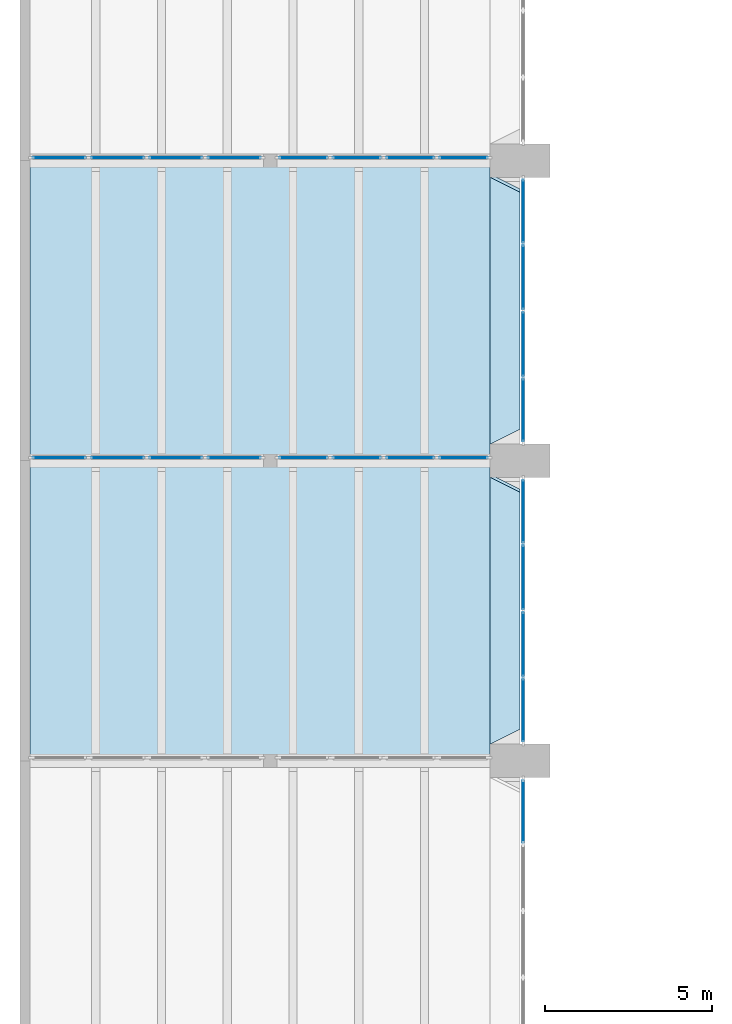
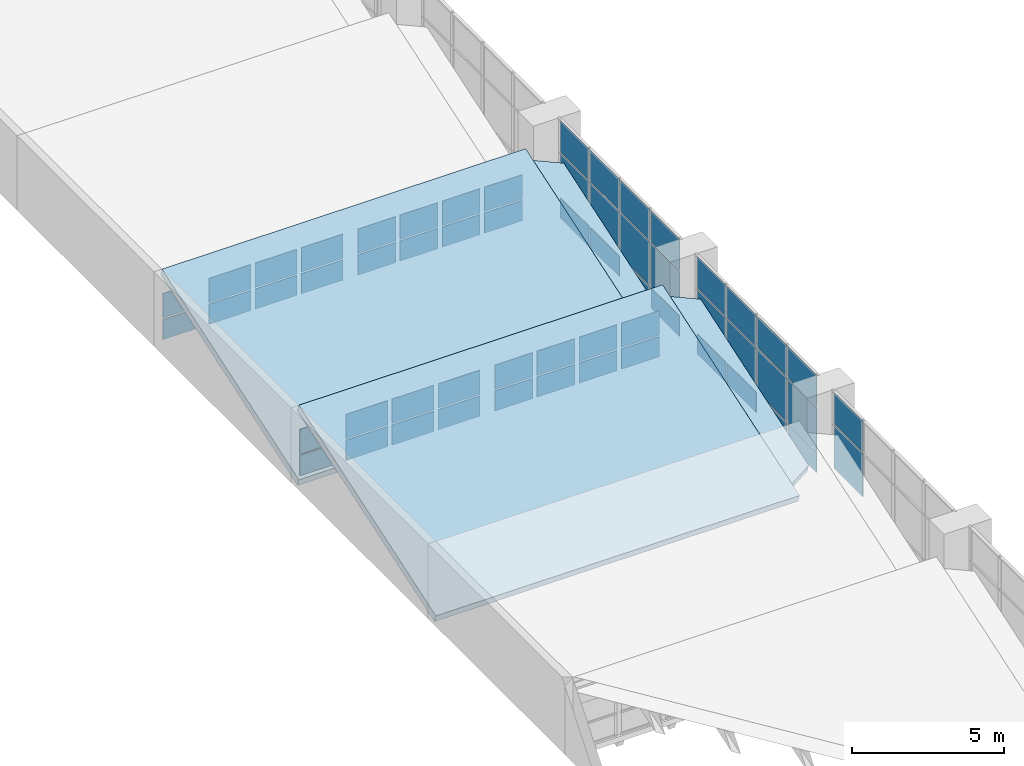
# One storey, part 24 of 43: 58 plates, 4 slabs, 19 elements without a shape of their own.
"""IFC4 building model written with IfcOpenShell, lengths in metres."""

from ifc_helpers import new_model, si_unit, direction, frame, origin, origin_2d, place, context, subcontext, project, spatial, polyline, rectangle, outline, extrude, material, layer, layer_set, type_object, element, aggregate, save


model = new_model("IFC4")

# Units and contexts
model_context = context("Model", 3, precision=1e-05, world=origin(), true_north=direction((0.0, 1.0)))
body_context = subcontext(model_context, "Body", "Model", "MODEL_VIEW")
ifc_project = project(units=[si_unit("LENGTHUNIT", "METRE"), si_unit("AREAUNIT", "SQUARE_METRE"), si_unit("VOLUMEUNIT", "CUBIC_METRE"), si_unit("PLANEANGLEUNIT", "RADIAN"), si_unit("MASSUNIT", "GRAM", prefix="KILO")], contexts=[model_context])

# Site, building, storey
site_placement = place(None, origin())
site = spatial("IfcSite", under=ifc_project, at=site_placement, CompositionType="ELEMENT")
building_placement = place(site_placement, origin())
building = spatial("IfcBuilding", under=site, at=building_placement, Name="Elmora Arch Market Hall", CompositionType="ELEMENT")
storey_placement = place(building_placement, frame((0.0, 0.0, 10.199951171875)))
storey = spatial("IfcBuildingStorey", under=building, at=storey_placement, Name="L02", CompositionType="ELEMENT", Elevation=10.199951171875)

# Curtain wall, plates
ifc_material_1 = material(Name="Aluminium", Category="aluminium")
curtain_wall_type_1 = type_object("IfcCurtainWallType", Name="Hall front curtain wall", PredefinedType="NOTDEFINED", material=ifc_material_1)
curtain_wall_1_placement = place(storey_placement, origin())
curtain_wall_1 = element("IfcCurtainWall", 1, at=curtain_wall_1_placement, inside=storey, type_object=curtain_wall_type_1, Name="Hall west glazing L02 3", PredefinedType="NOTDEFINED")
ifc_material_2 = material(Name="Glass", Category="glass")
ifc_layer_1 = layer(ifc_material_2, 0.028076171875)
ifc_layer_set_1 = layer_set([ifc_layer_1], Name="Glass")
plate_type = type_object("IfcPlateType", Name="Glass panel 28", PredefinedType="CURTAIN_PANEL", material=ifc_layer_set_1)
plate_1_placement = place(storey_placement, frame((15.090087890625, 52.47998046875, 1.0966796875), z_axis=(0.0, 0.0, 1.0), x_axis=(0.0, 1.0, 0.0)))
plate_1 = element("IfcPlate", 2, at=plate_1_placement, type_object=plate_type, Name="CW2 panel 4.2", PredefinedType="CURTAIN_PANEL", context=body_context, shape_type="SweptSolid", body=[
    extrude(rectangle(XDim=1.8798828125, YDim=0.028076171875, at=origin_2d()), origin(), (0.0, 0.0, 1.0), 1.739990234375),
])
plate_2_placement = place(storey_placement, frame((15.090087890625, 52.47998046875, 2.896484375), z_axis=(0.0, 0.0, 1.0), x_axis=(0.0, 1.0, 0.0)))
plate_2 = element("IfcPlate", 3, at=plate_2_placement, type_object=plate_type, Name="CW2 panel 4.3", PredefinedType="CURTAIN_PANEL", context=body_context, shape_type="SweptSolid", body=[
    extrude(rectangle(XDim=1.8798828125, YDim=0.028076171875, at=origin_2d()), origin(), (0.0, 0.0, 1.0), 1.243408203125),
])
aggregate(curtain_wall_1, [plate_1, plate_2])

curtain_wall_2_placement = place(storey_placement, origin())
curtain_wall_2 = element("IfcCurtainWall", 4, at=curtain_wall_2_placement, inside=storey, type_object=curtain_wall_type_1, Name="Hall west glazing L02 4", PredefinedType="NOTDEFINED")
plate_3_placement = place(storey_placement, frame((15.090087890625, 55.52001953125, 0.226806640625), z_axis=(0.0, 0.0, 1.0), x_axis=(0.0, 1.0, 0.0)))
plate_3 = element("IfcPlate", 5, at=plate_3_placement, type_object=plate_type, Name="CW2 panel 1.1", PredefinedType="CURTAIN_PANEL", context=body_context, shape_type="SweptSolid", body=[
    extrude(rectangle(XDim=1.8798828125, YDim=0.028076171875, at=origin_2d()), origin(), (0.0, 0.0, 1.0), 0.81005859375),
])
plate_4_placement = place(storey_placement, frame((15.090087890625, 55.52001953125, 1.0966796875), z_axis=(0.0, 0.0, 1.0), x_axis=(0.0, 1.0, 0.0)))
plate_4 = element("IfcPlate", 6, at=plate_4_placement, type_object=plate_type, Name="CW2 panel 1.2", PredefinedType="CURTAIN_PANEL", context=body_context, shape_type="SweptSolid", body=[
    extrude(rectangle(XDim=1.8798828125, YDim=0.028076171875, at=origin_2d()), origin(), (0.0, 0.0, 1.0), 1.739990234375),
])
plate_5_placement = place(storey_placement, frame((15.090087890625, 55.52001953125, 2.896484375), z_axis=(0.0, 0.0, 1.0), x_axis=(0.0, 1.0, 0.0)))
plate_5 = element("IfcPlate", 7, at=plate_5_placement, type_object=plate_type, Name="CW2 panel 1.3", PredefinedType="CURTAIN_PANEL", context=body_context, shape_type="SweptSolid", body=[
    extrude(rectangle(XDim=1.8798828125, YDim=0.028076171875, at=origin_2d()), origin(), (0.0, 0.0, 1.0), 1.243408203125),
])
plate_6_placement = place(storey_placement, frame((15.090087890625, 57.5, 0.226806640625), z_axis=(0.0, 0.0, 1.0), x_axis=(0.0, 1.0, 0.0)))
plate_6 = element("IfcPlate", 8, at=plate_6_placement, type_object=plate_type, Name="CW2 panel 2.1", PredefinedType="CURTAIN_PANEL", context=body_context, shape_type="SweptSolid", body=[
    extrude(rectangle(XDim=1.919921875, YDim=0.028076171875, at=origin_2d()), origin(), (0.0, 0.0, 1.0), 0.81005859375),
])
plate_7_placement = place(storey_placement, frame((15.090087890625, 57.5, 1.0966796875), z_axis=(0.0, 0.0, 1.0), x_axis=(0.0, 1.0, 0.0)))
plate_7 = element("IfcPlate", 9, at=plate_7_placement, type_object=plate_type, Name="CW2 panel 2.2", PredefinedType="CURTAIN_PANEL", context=body_context, shape_type="SweptSolid", body=[
    extrude(rectangle(XDim=1.919921875, YDim=0.028076171875, at=origin_2d()), origin(), (0.0, 0.0, 1.0), 1.739990234375),
])
plate_8_placement = place(storey_placement, frame((15.090087890625, 57.5, 2.896484375), z_axis=(0.0, 0.0, 1.0), x_axis=(0.0, 1.0, 0.0)))
plate_8 = element("IfcPlate", 10, at=plate_8_placement, type_object=plate_type, Name="CW2 panel 2.3", PredefinedType="CURTAIN_PANEL", context=body_context, shape_type="SweptSolid", body=[
    extrude(rectangle(XDim=1.919921875, YDim=0.028076171875, at=origin_2d()), origin(), (0.0, 0.0, 1.0), 1.243408203125),
])
plate_9_placement = place(storey_placement, frame((15.090087890625, 59.5, 0.226806640625), z_axis=(0.0, 0.0, 1.0), x_axis=(0.0, 1.0, 0.0)))
plate_9 = element("IfcPlate", 11, at=plate_9_placement, type_object=plate_type, Name="CW2 panel 3.1", PredefinedType="CURTAIN_PANEL", context=body_context, shape_type="SweptSolid", body=[
    extrude(rectangle(XDim=1.919921875, YDim=0.028076171875, at=origin_2d()), origin(), (0.0, 0.0, 1.0), 0.81005859375),
])
plate_10_placement = place(storey_placement, frame((15.090087890625, 59.5, 1.0966796875), z_axis=(0.0, 0.0, 1.0), x_axis=(0.0, 1.0, 0.0)))
plate_10 = element("IfcPlate", 12, at=plate_10_placement, type_object=plate_type, Name="CW2 panel 3.2", PredefinedType="CURTAIN_PANEL", context=body_context, shape_type="SweptSolid", body=[
    extrude(rectangle(XDim=1.919921875, YDim=0.028076171875, at=origin_2d()), origin(), (0.0, 0.0, 1.0), 1.739990234375),
])
plate_11_placement = place(storey_placement, frame((15.090087890625, 59.5, 2.896484375), z_axis=(0.0, 0.0, 1.0), x_axis=(0.0, 1.0, 0.0)))
plate_11 = element("IfcPlate", 13, at=plate_11_placement, type_object=plate_type, Name="CW2 panel 3.3", PredefinedType="CURTAIN_PANEL", context=body_context, shape_type="SweptSolid", body=[
    extrude(rectangle(XDim=1.919921875, YDim=0.028076171875, at=origin_2d()), origin(), (0.0, 0.0, 1.0), 1.243408203125),
])
plate_12_placement = place(storey_placement, frame((15.090087890625, 61.47998046875, 0.226806640625), z_axis=(0.0, 0.0, 1.0), x_axis=(0.0, 1.0, 0.0)))
plate_12 = element("IfcPlate", 14, at=plate_12_placement, type_object=plate_type, Name="CW2 panel 4.1", PredefinedType="CURTAIN_PANEL", context=body_context, shape_type="SweptSolid", body=[
    extrude(rectangle(XDim=1.8798828125, YDim=0.028076171875, at=origin_2d()), origin(), (0.0, 0.0, 1.0), 0.81005859375),
])
plate_13_placement = place(storey_placement, frame((15.090087890625, 61.47998046875, 1.0966796875), z_axis=(0.0, 0.0, 1.0), x_axis=(0.0, 1.0, 0.0)))
plate_13 = element("IfcPlate", 15, at=plate_13_placement, type_object=plate_type, Name="CW2 panel 4.2", PredefinedType="CURTAIN_PANEL", context=body_context, shape_type="SweptSolid", body=[
    extrude(rectangle(XDim=1.8798828125, YDim=0.028076171875, at=origin_2d()), origin(), (0.0, 0.0, 1.0), 1.739990234375),
])
plate_14_placement = place(storey_placement, frame((15.090087890625, 61.47998046875, 2.896484375), z_axis=(0.0, 0.0, 1.0), x_axis=(0.0, 1.0, 0.0)))
plate_14 = element("IfcPlate", 16, at=plate_14_placement, type_object=plate_type, Name="CW2 panel 4.3", PredefinedType="CURTAIN_PANEL", context=body_context, shape_type="SweptSolid", body=[
    extrude(rectangle(XDim=1.8798828125, YDim=0.028076171875, at=origin_2d()), origin(), (0.0, 0.0, 1.0), 1.243408203125),
])
aggregate(curtain_wall_2, [plate_3, plate_4, plate_5, plate_6, plate_7, plate_8, plate_9, plate_10, plate_11, plate_12, plate_13, plate_14])

curtain_wall_3_placement = place(storey_placement, origin())
curtain_wall_3 = element("IfcCurtainWall", 17, at=curtain_wall_3_placement, inside=storey, type_object=curtain_wall_type_1, Name="Hall west glazing L02 5", PredefinedType="NOTDEFINED")
plate_15_placement = place(storey_placement, frame((15.090087890625, 64.52001953125, 0.226806640625), z_axis=(0.0, 0.0, 1.0), x_axis=(0.0, 1.0, 0.0)))
plate_15 = element("IfcPlate", 18, at=plate_15_placement, type_object=plate_type, Name="CW2 panel 1.1", PredefinedType="CURTAIN_PANEL", context=body_context, shape_type="SweptSolid", body=[
    extrude(rectangle(XDim=1.8798828125, YDim=0.028076171875, at=origin_2d()), origin(), (0.0, 0.0, 1.0), 0.81005859375),
])
plate_16_placement = place(storey_placement, frame((15.090087890625, 64.52001953125, 1.0966796875), z_axis=(0.0, 0.0, 1.0), x_axis=(0.0, 1.0, 0.0)))
plate_16 = element("IfcPlate", 19, at=plate_16_placement, type_object=plate_type, Name="CW2 panel 1.2", PredefinedType="CURTAIN_PANEL", context=body_context, shape_type="SweptSolid", body=[
    extrude(rectangle(XDim=1.8798828125, YDim=0.028076171875, at=origin_2d()), origin(), (0.0, 0.0, 1.0), 1.739990234375),
])
plate_17_placement = place(storey_placement, frame((15.090087890625, 64.52001953125, 2.896484375), z_axis=(0.0, 0.0, 1.0), x_axis=(0.0, 1.0, 0.0)))
plate_17 = element("IfcPlate", 20, at=plate_17_placement, type_object=plate_type, Name="CW2 panel 1.3", PredefinedType="CURTAIN_PANEL", context=body_context, shape_type="SweptSolid", body=[
    extrude(rectangle(XDim=1.8798828125, YDim=0.028076171875, at=origin_2d()), origin(), (0.0, 0.0, 1.0), 1.243408203125),
])
plate_18_placement = place(storey_placement, frame((15.090087890625, 66.5, 0.226806640625), z_axis=(0.0, 0.0, 1.0), x_axis=(0.0, 1.0, 0.0)))
plate_18 = element("IfcPlate", 21, at=plate_18_placement, type_object=plate_type, Name="CW2 panel 2.1", PredefinedType="CURTAIN_PANEL", context=body_context, shape_type="SweptSolid", body=[
    extrude(rectangle(XDim=1.919921875, YDim=0.028076171875, at=origin_2d()), origin(), (0.0, 0.0, 1.0), 0.81005859375),
])
plate_19_placement = place(storey_placement, frame((15.090087890625, 66.5, 1.0966796875), z_axis=(0.0, 0.0, 1.0), x_axis=(0.0, 1.0, 0.0)))
plate_19 = element("IfcPlate", 22, at=plate_19_placement, type_object=plate_type, Name="CW2 panel 2.2", PredefinedType="CURTAIN_PANEL", context=body_context, shape_type="SweptSolid", body=[
    extrude(rectangle(XDim=1.919921875, YDim=0.028076171875, at=origin_2d()), origin(), (0.0, 0.0, 1.0), 1.739990234375),
])
plate_20_placement = place(storey_placement, frame((15.090087890625, 66.5, 2.896484375), z_axis=(0.0, 0.0, 1.0), x_axis=(0.0, 1.0, 0.0)))
plate_20 = element("IfcPlate", 23, at=plate_20_placement, type_object=plate_type, Name="CW2 panel 2.3", PredefinedType="CURTAIN_PANEL", context=body_context, shape_type="SweptSolid", body=[
    extrude(rectangle(XDim=1.919921875, YDim=0.028076171875, at=origin_2d()), origin(), (0.0, 0.0, 1.0), 1.243408203125),
])
plate_21_placement = place(storey_placement, frame((15.090087890625, 68.5, 0.226806640625), z_axis=(0.0, 0.0, 1.0), x_axis=(0.0, 1.0, 0.0)))
plate_21 = element("IfcPlate", 24, at=plate_21_placement, type_object=plate_type, Name="CW2 panel 3.1", PredefinedType="CURTAIN_PANEL", context=body_context, shape_type="SweptSolid", body=[
    extrude(rectangle(XDim=1.919921875, YDim=0.028076171875, at=origin_2d()), origin(), (0.0, 0.0, 1.0), 0.81005859375),
])
plate_22_placement = place(storey_placement, frame((15.090087890625, 68.5, 1.0966796875), z_axis=(0.0, 0.0, 1.0), x_axis=(0.0, 1.0, 0.0)))
plate_22 = element("IfcPlate", 25, at=plate_22_placement, type_object=plate_type, Name="CW2 panel 3.2", PredefinedType="CURTAIN_PANEL", context=body_context, shape_type="SweptSolid", body=[
    extrude(rectangle(XDim=1.919921875, YDim=0.028076171875, at=origin_2d()), origin(), (0.0, 0.0, 1.0), 1.739990234375),
])
plate_23_placement = place(storey_placement, frame((15.090087890625, 68.5, 2.896484375), z_axis=(0.0, 0.0, 1.0), x_axis=(0.0, 1.0, 0.0)))
plate_23 = element("IfcPlate", 26, at=plate_23_placement, type_object=plate_type, Name="CW2 panel 3.3", PredefinedType="CURTAIN_PANEL", context=body_context, shape_type="SweptSolid", body=[
    extrude(rectangle(XDim=1.919921875, YDim=0.028076171875, at=origin_2d()), origin(), (0.0, 0.0, 1.0), 1.243408203125),
])
plate_24_placement = place(storey_placement, frame((15.090087890625, 70.47998046875, 0.226806640625), z_axis=(0.0, 0.0, 1.0), x_axis=(0.0, 1.0, 0.0)))
plate_24 = element("IfcPlate", 27, at=plate_24_placement, type_object=plate_type, Name="CW2 panel 4.1", PredefinedType="CURTAIN_PANEL", context=body_context, shape_type="SweptSolid", body=[
    extrude(rectangle(XDim=1.8798828125, YDim=0.028076171875, at=origin_2d()), origin(), (0.0, 0.0, 1.0), 0.81005859375),
])
plate_25_placement = place(storey_placement, frame((15.090087890625, 70.47998046875, 1.0966796875), z_axis=(0.0, 0.0, 1.0), x_axis=(0.0, 1.0, 0.0)))
plate_25 = element("IfcPlate", 28, at=plate_25_placement, type_object=plate_type, Name="CW2 panel 4.2", PredefinedType="CURTAIN_PANEL", context=body_context, shape_type="SweptSolid", body=[
    extrude(rectangle(XDim=1.8798828125, YDim=0.028076171875, at=origin_2d()), origin(), (0.0, 0.0, 1.0), 1.739990234375),
])
plate_26_placement = place(storey_placement, frame((15.090087890625, 70.47998046875, 2.896484375), z_axis=(0.0, 0.0, 1.0), x_axis=(0.0, 1.0, 0.0)))
plate_26 = element("IfcPlate", 29, at=plate_26_placement, type_object=plate_type, Name="CW2 panel 4.3", PredefinedType="CURTAIN_PANEL", context=body_context, shape_type="SweptSolid", body=[
    extrude(rectangle(XDim=1.8798828125, YDim=0.028076171875, at=origin_2d()), origin(), (0.0, 0.0, 1.0), 1.243408203125),
])
aggregate(curtain_wall_3, [plate_15, plate_16, plate_17, plate_18, plate_19, plate_20, plate_21, plate_22, plate_23, plate_24, plate_25, plate_26])

ifc_material_3 = material(Name="Aluminium", Category="aluminium")
curtain_wall_type_2 = type_object("IfcCurtainWallType", Name="Sawtooth glazing curtain wall", PredefinedType="NOTDEFINED", material=ifc_material_3)
curtain_wall_4_placement = place(storey_placement, origin())
curtain_wall_4 = element("IfcCurtainWall", 30, at=curtain_wall_4_placement, inside=storey, type_object=curtain_wall_type_2, Name="Sawtooth riser 4 part 1.1", PredefinedType="NOTDEFINED")
plate_27_placement = place(storey_placement, frame((1.175048828125, 63.090087890625, 0.090087890625), z_axis=(0.0, 0.0, 1.0), x_axis=(1.0, 0.0, 0.0)))
plate_27 = element("IfcPlate", 31, at=plate_27_placement, type_object=plate_type, Name="CW7 panel 1.1", PredefinedType="CURTAIN_PANEL", context=body_context, shape_type="SweptSolid", body=[
    extrude(rectangle(XDim=1.590087890625, YDim=0.028076171875, at=origin_2d()), origin(), (0.0, 0.0, 1.0), 0.81005859375),
])
plate_28_placement = place(storey_placement, frame((1.175048828125, 63.090087890625, 0.9599609375), z_axis=(0.0, 0.0, 1.0), x_axis=(1.0, 0.0, 0.0)))
plate_28 = element("IfcPlate", 32, at=plate_28_placement, type_object=plate_type, Name="CW7 panel 1.2", PredefinedType="CURTAIN_PANEL", context=body_context, shape_type="SweptSolid", body=[
    extrude(rectangle(XDim=1.590087890625, YDim=0.028076171875, at=origin_2d()), origin(), (0.0, 0.0, 1.0), 0.97998046875),
])
aggregate(curtain_wall_4, [plate_27, plate_28])

curtain_wall_5_placement = place(storey_placement, origin())
curtain_wall_5 = element("IfcCurtainWall", 33, at=curtain_wall_5_placement, inside=storey, type_object=curtain_wall_type_2, Name="Sawtooth riser 4 part 1.2", PredefinedType="NOTDEFINED")
plate_29_placement = place(storey_placement, frame((2.925048828125, 63.090087890625, 0.090087890625), z_axis=(0.0, 0.0, 1.0), x_axis=(1.0, 0.0, 0.0)))
plate_29 = element("IfcPlate", 34, at=plate_29_placement, type_object=plate_type, Name="CW7 panel 1.1", PredefinedType="CURTAIN_PANEL", context=body_context, shape_type="SweptSolid", body=[
    extrude(rectangle(XDim=1.590087890625, YDim=0.028076171875, at=origin_2d()), origin(), (0.0, 0.0, 1.0), 0.81005859375),
])
plate_30_placement = place(storey_placement, frame((2.925048828125, 63.090087890625, 0.9599609375), z_axis=(0.0, 0.0, 1.0), x_axis=(1.0, 0.0, 0.0)))
plate_30 = element("IfcPlate", 35, at=plate_30_placement, type_object=plate_type, Name="CW7 panel 1.2", PredefinedType="CURTAIN_PANEL", context=body_context, shape_type="SweptSolid", body=[
    extrude(rectangle(XDim=1.590087890625, YDim=0.028076171875, at=origin_2d()), origin(), (0.0, 0.0, 1.0), 0.97998046875),
])
aggregate(curtain_wall_5, [plate_29, plate_30])

curtain_wall_6_placement = place(storey_placement, origin())
curtain_wall_6 = element("IfcCurtainWall", 36, at=curtain_wall_6_placement, inside=storey, type_object=curtain_wall_type_2, Name="Sawtooth riser 4 part 1.3", PredefinedType="NOTDEFINED")
plate_31_placement = place(storey_placement, frame((4.675048828125, 63.090087890625, 0.090087890625), z_axis=(0.0, 0.0, 1.0), x_axis=(1.0, 0.0, 0.0)))
plate_31 = element("IfcPlate", 37, at=plate_31_placement, type_object=plate_type, Name="CW7 panel 1.1", PredefinedType="CURTAIN_PANEL", context=body_context, shape_type="SweptSolid", body=[
    extrude(rectangle(XDim=1.590087890625, YDim=0.028076171875, at=origin_2d()), origin(), (0.0, 0.0, 1.0), 0.81005859375),
])
plate_32_placement = place(storey_placement, frame((4.675048828125, 63.090087890625, 0.9599609375), z_axis=(0.0, 0.0, 1.0), x_axis=(1.0, 0.0, 0.0)))
plate_32 = element("IfcPlate", 38, at=plate_32_placement, type_object=plate_type, Name="CW7 panel 1.2", PredefinedType="CURTAIN_PANEL", context=body_context, shape_type="SweptSolid", body=[
    extrude(rectangle(XDim=1.590087890625, YDim=0.028076171875, at=origin_2d()), origin(), (0.0, 0.0, 1.0), 0.97998046875),
])
aggregate(curtain_wall_6, [plate_31, plate_32])

curtain_wall_7_placement = place(storey_placement, origin())
curtain_wall_7 = element("IfcCurtainWall", 39, at=curtain_wall_7_placement, inside=storey, type_object=curtain_wall_type_2, Name="Sawtooth riser 4 part 1.4", PredefinedType="NOTDEFINED")
plate_33_placement = place(storey_placement, frame((6.425048828125, 63.090087890625, 0.090087890625), z_axis=(0.0, 0.0, 1.0), x_axis=(1.0, 0.0, 0.0)))
plate_33 = element("IfcPlate", 40, at=plate_33_placement, type_object=plate_type, Name="CW7 panel 1.1", PredefinedType="CURTAIN_PANEL", context=body_context, shape_type="SweptSolid", body=[
    extrude(rectangle(XDim=1.590087890625, YDim=0.028076171875, at=origin_2d()), origin(), (0.0, 0.0, 1.0), 0.81005859375),
])
plate_34_placement = place(storey_placement, frame((6.425048828125, 63.090087890625, 0.9599609375), z_axis=(0.0, 0.0, 1.0), x_axis=(1.0, 0.0, 0.0)))
plate_34 = element("IfcPlate", 41, at=plate_34_placement, type_object=plate_type, Name="CW7 panel 1.2", PredefinedType="CURTAIN_PANEL", context=body_context, shape_type="SweptSolid", body=[
    extrude(rectangle(XDim=1.590087890625, YDim=0.028076171875, at=origin_2d()), origin(), (0.0, 0.0, 1.0), 0.97998046875),
])
aggregate(curtain_wall_7, [plate_33, plate_34])

curtain_wall_8_placement = place(storey_placement, origin())
curtain_wall_8 = element("IfcCurtainWall", 42, at=curtain_wall_8_placement, inside=storey, type_object=curtain_wall_type_2, Name="Sawtooth riser 4 part 2.1", PredefinedType="NOTDEFINED")
plate_35_placement = place(storey_placement, frame((8.5, 63.090087890625, 0.090087890625), z_axis=(0.0, 0.0, 1.0), x_axis=(1.0, 0.0, 0.0)))
plate_35 = element("IfcPlate", 43, at=plate_35_placement, type_object=plate_type, Name="CW7 panel 1.1", PredefinedType="CURTAIN_PANEL", context=body_context, shape_type="SweptSolid", body=[
    extrude(rectangle(XDim=1.43994140625, YDim=0.028076171875, at=origin_2d()), origin(), (0.0, 0.0, 1.0), 0.81005859375),
])
plate_36_placement = place(storey_placement, frame((8.5, 63.090087890625, 0.9599609375), z_axis=(0.0, 0.0, 1.0), x_axis=(1.0, 0.0, 0.0)))
plate_36 = element("IfcPlate", 44, at=plate_36_placement, type_object=plate_type, Name="CW7 panel 1.2", PredefinedType="CURTAIN_PANEL", context=body_context, shape_type="SweptSolid", body=[
    extrude(rectangle(XDim=1.43994140625, YDim=0.028076171875, at=origin_2d()), origin(), (0.0, 0.0, 1.0), 0.97998046875),
])
aggregate(curtain_wall_8, [plate_35, plate_36])

curtain_wall_9_placement = place(storey_placement, origin())
curtain_wall_9 = element("IfcCurtainWall", 45, at=curtain_wall_9_placement, inside=storey, type_object=curtain_wall_type_2, Name="Sawtooth riser 4 part 2.2", PredefinedType="NOTDEFINED")
plate_37_placement = place(storey_placement, frame((10.10009765625, 63.090087890625, 0.090087890625), z_axis=(0.0, 0.0, 1.0), x_axis=(1.0, 0.0, 0.0)))
plate_37 = element("IfcPlate", 46, at=plate_37_placement, type_object=plate_type, Name="CW7 panel 1.1", PredefinedType="CURTAIN_PANEL", context=body_context, shape_type="SweptSolid", body=[
    extrude(rectangle(XDim=1.43994140625, YDim=0.028076171875, at=origin_2d()), origin(), (0.0, 0.0, 1.0), 0.81005859375),
])
plate_38_placement = place(storey_placement, frame((10.10009765625, 63.090087890625, 0.9599609375), z_axis=(0.0, 0.0, 1.0), x_axis=(1.0, 0.0, 0.0)))
plate_38 = element("IfcPlate", 47, at=plate_38_placement, type_object=plate_type, Name="CW7 panel 1.2", PredefinedType="CURTAIN_PANEL", context=body_context, shape_type="SweptSolid", body=[
    extrude(rectangle(XDim=1.43994140625, YDim=0.028076171875, at=origin_2d()), origin(), (0.0, 0.0, 1.0), 0.97998046875),
])
aggregate(curtain_wall_9, [plate_37, plate_38])

curtain_wall_10_placement = place(storey_placement, origin())
curtain_wall_10 = element("IfcCurtainWall", 48, at=curtain_wall_10_placement, inside=storey, type_object=curtain_wall_type_2, Name="Sawtooth riser 4 part 2.3", PredefinedType="NOTDEFINED")
plate_39_placement = place(storey_placement, frame((11.699951171875, 63.090087890625, 0.090087890625), z_axis=(0.0, 0.0, 1.0), x_axis=(1.0, 0.0, 0.0)))
plate_39 = element("IfcPlate", 49, at=plate_39_placement, type_object=plate_type, Name="CW7 panel 1.1", PredefinedType="CURTAIN_PANEL", context=body_context, shape_type="SweptSolid", body=[
    extrude(rectangle(XDim=1.43994140625, YDim=0.028076171875, at=origin_2d()), origin(), (0.0, 0.0, 1.0), 0.81005859375),
])
plate_40_placement = place(storey_placement, frame((11.699951171875, 63.090087890625, 0.9599609375), z_axis=(0.0, 0.0, 1.0), x_axis=(1.0, 0.0, 0.0)))
plate_40 = element("IfcPlate", 50, at=plate_40_placement, type_object=plate_type, Name="CW7 panel 1.2", PredefinedType="CURTAIN_PANEL", context=body_context, shape_type="SweptSolid", body=[
    extrude(rectangle(XDim=1.43994140625, YDim=0.028076171875, at=origin_2d()), origin(), (0.0, 0.0, 1.0), 0.97998046875),
])
aggregate(curtain_wall_10, [plate_39, plate_40])

curtain_wall_11_placement = place(storey_placement, origin())
curtain_wall_11 = element("IfcCurtainWall", 51, at=curtain_wall_11_placement, inside=storey, type_object=curtain_wall_type_2, Name="Sawtooth riser 4 part 2.4", PredefinedType="NOTDEFINED")
plate_41_placement = place(storey_placement, frame((13.300048828125, 63.090087890625, 0.090087890625), z_axis=(0.0, 0.0, 1.0), x_axis=(1.0, 0.0, 0.0)))
plate_41 = element("IfcPlate", 52, at=plate_41_placement, type_object=plate_type, Name="CW7 panel 1.1", PredefinedType="CURTAIN_PANEL", context=body_context, shape_type="SweptSolid", body=[
    extrude(rectangle(XDim=1.43994140625, YDim=0.028076171875, at=origin_2d()), origin(), (0.0, 0.0, 1.0), 0.81005859375),
])
plate_42_placement = place(storey_placement, frame((13.300048828125, 63.090087890625, 0.9599609375), z_axis=(0.0, 0.0, 1.0), x_axis=(1.0, 0.0, 0.0)))
plate_42 = element("IfcPlate", 53, at=plate_42_placement, type_object=plate_type, Name="CW7 panel 1.2", PredefinedType="CURTAIN_PANEL", context=body_context, shape_type="SweptSolid", body=[
    extrude(rectangle(XDim=1.43994140625, YDim=0.028076171875, at=origin_2d()), origin(), (0.0, 0.0, 1.0), 0.97998046875),
])
aggregate(curtain_wall_11, [plate_41, plate_42])

curtain_wall_12_placement = place(storey_placement, origin())
curtain_wall_12 = element("IfcCurtainWall", 54, at=curtain_wall_12_placement, inside=storey, type_object=curtain_wall_type_2, Name="Sawtooth riser 5 part 1.1", PredefinedType="NOTDEFINED")
plate_43_placement = place(storey_placement, frame((1.175048828125, 72.090087890625, 0.090087890625), z_axis=(0.0, 0.0, 1.0), x_axis=(1.0, 0.0, 0.0)))
plate_43 = element("IfcPlate", 55, at=plate_43_placement, type_object=plate_type, Name="CW7 panel 1.1", PredefinedType="CURTAIN_PANEL", context=body_context, shape_type="SweptSolid", body=[
    extrude(rectangle(XDim=1.590087890625, YDim=0.028076171875, at=origin_2d()), origin(), (0.0, 0.0, 1.0), 0.81005859375),
])
plate_44_placement = place(storey_placement, frame((1.175048828125, 72.090087890625, 0.9599609375), z_axis=(0.0, 0.0, 1.0), x_axis=(1.0, 0.0, 0.0)))
plate_44 = element("IfcPlate", 56, at=plate_44_placement, type_object=plate_type, Name="CW7 panel 1.2", PredefinedType="CURTAIN_PANEL", context=body_context, shape_type="SweptSolid", body=[
    extrude(rectangle(XDim=1.590087890625, YDim=0.028076171875, at=origin_2d()), origin(), (0.0, 0.0, 1.0), 0.97998046875),
])
aggregate(curtain_wall_12, [plate_43, plate_44])

curtain_wall_13_placement = place(storey_placement, origin())
curtain_wall_13 = element("IfcCurtainWall", 57, at=curtain_wall_13_placement, inside=storey, type_object=curtain_wall_type_2, Name="Sawtooth riser 5 part 1.2", PredefinedType="NOTDEFINED")
plate_45_placement = place(storey_placement, frame((2.925048828125, 72.090087890625, 0.090087890625), z_axis=(0.0, 0.0, 1.0), x_axis=(1.0, 0.0, 0.0)))
plate_45 = element("IfcPlate", 58, at=plate_45_placement, type_object=plate_type, Name="CW7 panel 1.1", PredefinedType="CURTAIN_PANEL", context=body_context, shape_type="SweptSolid", body=[
    extrude(rectangle(XDim=1.590087890625, YDim=0.028076171875, at=origin_2d()), origin(), (0.0, 0.0, 1.0), 0.81005859375),
])
plate_46_placement = place(storey_placement, frame((2.925048828125, 72.090087890625, 0.9599609375), z_axis=(0.0, 0.0, 1.0), x_axis=(1.0, 0.0, 0.0)))
plate_46 = element("IfcPlate", 59, at=plate_46_placement, type_object=plate_type, Name="CW7 panel 1.2", PredefinedType="CURTAIN_PANEL", context=body_context, shape_type="SweptSolid", body=[
    extrude(rectangle(XDim=1.590087890625, YDim=0.028076171875, at=origin_2d()), origin(), (0.0, 0.0, 1.0), 0.97998046875),
])
aggregate(curtain_wall_13, [plate_45, plate_46])

curtain_wall_14_placement = place(storey_placement, origin())
curtain_wall_14 = element("IfcCurtainWall", 60, at=curtain_wall_14_placement, inside=storey, type_object=curtain_wall_type_2, Name="Sawtooth riser 5 part 1.3", PredefinedType="NOTDEFINED")
plate_47_placement = place(storey_placement, frame((4.675048828125, 72.090087890625, 0.090087890625), z_axis=(0.0, 0.0, 1.0), x_axis=(1.0, 0.0, 0.0)))
plate_47 = element("IfcPlate", 61, at=plate_47_placement, type_object=plate_type, Name="CW7 panel 1.1", PredefinedType="CURTAIN_PANEL", context=body_context, shape_type="SweptSolid", body=[
    extrude(rectangle(XDim=1.590087890625, YDim=0.028076171875, at=origin_2d()), origin(), (0.0, 0.0, 1.0), 0.81005859375),
])
plate_48_placement = place(storey_placement, frame((4.675048828125, 72.090087890625, 0.9599609375), z_axis=(0.0, 0.0, 1.0), x_axis=(1.0, 0.0, 0.0)))
plate_48 = element("IfcPlate", 62, at=plate_48_placement, type_object=plate_type, Name="CW7 panel 1.2", PredefinedType="CURTAIN_PANEL", context=body_context, shape_type="SweptSolid", body=[
    extrude(rectangle(XDim=1.590087890625, YDim=0.028076171875, at=origin_2d()), origin(), (0.0, 0.0, 1.0), 0.97998046875),
])
aggregate(curtain_wall_14, [plate_47, plate_48])

curtain_wall_15_placement = place(storey_placement, origin())
curtain_wall_15 = element("IfcCurtainWall", 63, at=curtain_wall_15_placement, inside=storey, type_object=curtain_wall_type_2, Name="Sawtooth riser 5 part 1.4", PredefinedType="NOTDEFINED")
plate_49_placement = place(storey_placement, frame((6.425048828125, 72.090087890625, 0.090087890625), z_axis=(0.0, 0.0, 1.0), x_axis=(1.0, 0.0, 0.0)))
plate_49 = element("IfcPlate", 64, at=plate_49_placement, type_object=plate_type, Name="CW7 panel 1.1", PredefinedType="CURTAIN_PANEL", context=body_context, shape_type="SweptSolid", body=[
    extrude(rectangle(XDim=1.590087890625, YDim=0.028076171875, at=origin_2d()), origin(), (0.0, 0.0, 1.0), 0.81005859375),
])
plate_50_placement = place(storey_placement, frame((6.425048828125, 72.090087890625, 0.9599609375), z_axis=(0.0, 0.0, 1.0), x_axis=(1.0, 0.0, 0.0)))
plate_50 = element("IfcPlate", 65, at=plate_50_placement, type_object=plate_type, Name="CW7 panel 1.2", PredefinedType="CURTAIN_PANEL", context=body_context, shape_type="SweptSolid", body=[
    extrude(rectangle(XDim=1.590087890625, YDim=0.028076171875, at=origin_2d()), origin(), (0.0, 0.0, 1.0), 0.97998046875),
])
aggregate(curtain_wall_15, [plate_49, plate_50])

curtain_wall_16_placement = place(storey_placement, origin())
curtain_wall_16 = element("IfcCurtainWall", 66, at=curtain_wall_16_placement, inside=storey, type_object=curtain_wall_type_2, Name="Sawtooth riser 5 part 2.1", PredefinedType="NOTDEFINED")
plate_51_placement = place(storey_placement, frame((8.5, 72.090087890625, 0.090087890625), z_axis=(0.0, 0.0, 1.0), x_axis=(1.0, 0.0, 0.0)))
plate_51 = element("IfcPlate", 67, at=plate_51_placement, type_object=plate_type, Name="CW7 panel 1.1", PredefinedType="CURTAIN_PANEL", context=body_context, shape_type="SweptSolid", body=[
    extrude(rectangle(XDim=1.43994140625, YDim=0.028076171875, at=origin_2d()), origin(), (0.0, 0.0, 1.0), 0.81005859375),
])
plate_52_placement = place(storey_placement, frame((8.5, 72.090087890625, 0.9599609375), z_axis=(0.0, 0.0, 1.0), x_axis=(1.0, 0.0, 0.0)))
plate_52 = element("IfcPlate", 68, at=plate_52_placement, type_object=plate_type, Name="CW7 panel 1.2", PredefinedType="CURTAIN_PANEL", context=body_context, shape_type="SweptSolid", body=[
    extrude(rectangle(XDim=1.43994140625, YDim=0.028076171875, at=origin_2d()), origin(), (0.0, 0.0, 1.0), 0.97998046875),
])
aggregate(curtain_wall_16, [plate_51, plate_52])

curtain_wall_17_placement = place(storey_placement, origin())
curtain_wall_17 = element("IfcCurtainWall", 69, at=curtain_wall_17_placement, inside=storey, type_object=curtain_wall_type_2, Name="Sawtooth riser 5 part 2.2", PredefinedType="NOTDEFINED")
plate_53_placement = place(storey_placement, frame((10.10009765625, 72.090087890625, 0.090087890625), z_axis=(0.0, 0.0, 1.0), x_axis=(1.0, 0.0, 0.0)))
plate_53 = element("IfcPlate", 70, at=plate_53_placement, type_object=plate_type, Name="CW7 panel 1.1", PredefinedType="CURTAIN_PANEL", context=body_context, shape_type="SweptSolid", body=[
    extrude(rectangle(XDim=1.43994140625, YDim=0.028076171875, at=origin_2d()), origin(), (0.0, 0.0, 1.0), 0.81005859375),
])
plate_54_placement = place(storey_placement, frame((10.10009765625, 72.090087890625, 0.9599609375), z_axis=(0.0, 0.0, 1.0), x_axis=(1.0, 0.0, 0.0)))
plate_54 = element("IfcPlate", 71, at=plate_54_placement, type_object=plate_type, Name="CW7 panel 1.2", PredefinedType="CURTAIN_PANEL", context=body_context, shape_type="SweptSolid", body=[
    extrude(rectangle(XDim=1.43994140625, YDim=0.028076171875, at=origin_2d()), origin(), (0.0, 0.0, 1.0), 0.97998046875),
])
aggregate(curtain_wall_17, [plate_53, plate_54])

curtain_wall_18_placement = place(storey_placement, origin())
curtain_wall_18 = element("IfcCurtainWall", 72, at=curtain_wall_18_placement, inside=storey, type_object=curtain_wall_type_2, Name="Sawtooth riser 5 part 2.3", PredefinedType="NOTDEFINED")
plate_55_placement = place(storey_placement, frame((11.699951171875, 72.090087890625, 0.090087890625), z_axis=(0.0, 0.0, 1.0), x_axis=(1.0, 0.0, 0.0)))
plate_55 = element("IfcPlate", 73, at=plate_55_placement, type_object=plate_type, Name="CW7 panel 1.1", PredefinedType="CURTAIN_PANEL", context=body_context, shape_type="SweptSolid", body=[
    extrude(rectangle(XDim=1.43994140625, YDim=0.028076171875, at=origin_2d()), origin(), (0.0, 0.0, 1.0), 0.81005859375),
])
plate_56_placement = place(storey_placement, frame((11.699951171875, 72.090087890625, 0.9599609375), z_axis=(0.0, 0.0, 1.0), x_axis=(1.0, 0.0, 0.0)))
plate_56 = element("IfcPlate", 74, at=plate_56_placement, type_object=plate_type, Name="CW7 panel 1.2", PredefinedType="CURTAIN_PANEL", context=body_context, shape_type="SweptSolid", body=[
    extrude(rectangle(XDim=1.43994140625, YDim=0.028076171875, at=origin_2d()), origin(), (0.0, 0.0, 1.0), 0.97998046875),
])
aggregate(curtain_wall_18, [plate_55, plate_56])

curtain_wall_19_placement = place(storey_placement, origin())
curtain_wall_19 = element("IfcCurtainWall", 75, at=curtain_wall_19_placement, inside=storey, type_object=curtain_wall_type_2, Name="Sawtooth riser 5 part 2.4", PredefinedType="NOTDEFINED")
plate_57_placement = place(storey_placement, frame((13.300048828125, 72.090087890625, 0.090087890625), z_axis=(0.0, 0.0, 1.0), x_axis=(1.0, 0.0, 0.0)))
plate_57 = element("IfcPlate", 76, at=plate_57_placement, type_object=plate_type, Name="CW7 panel 1.1", PredefinedType="CURTAIN_PANEL", context=body_context, shape_type="SweptSolid", body=[
    extrude(rectangle(XDim=1.43994140625, YDim=0.028076171875, at=origin_2d()), origin(), (0.0, 0.0, 1.0), 0.81005859375),
])
plate_58_placement = place(storey_placement, frame((13.300048828125, 72.090087890625, 0.9599609375), z_axis=(0.0, 0.0, 1.0), x_axis=(1.0, 0.0, 0.0)))
plate_58 = element("IfcPlate", 77, at=plate_58_placement, type_object=plate_type, Name="CW7 panel 1.2", PredefinedType="CURTAIN_PANEL", context=body_context, shape_type="SweptSolid", body=[
    extrude(rectangle(XDim=1.43994140625, YDim=0.028076171875, at=origin_2d()), origin(), (0.0, 0.0, 1.0), 0.97998046875),
])
aggregate(curtain_wall_19, [plate_57, plate_58])

# Slabs
ifc_material_4 = material(Name="Concrete C32/40", Category="concrete")
ifc_layer_2 = layer(ifc_material_4, 0.300048828125)
ifc_layer_set_2 = layer_set([ifc_layer_2], Name="Concrete C32/40")
slab_type = type_object("IfcSlabType", Name="Roof slab 300", PredefinedType="ROOF", material=ifc_layer_set_2)
slab_1_placement = place(storey_placement, frame((0.300048828125, 54.0, 0.0), z_axis=(0.0, -0.316227766017, 0.948683298051), x_axis=(1.0, 0.0, 0.0)))
element("IfcSlab", 78, at=slab_1_placement, inside=storey, type_object=slab_type, Name="Sawtooth roof slab 4", PredefinedType="ROOF", context=body_context, shape_type="SweptSolid", body=[
    extrude(outline(polyline([(0.0, 0.0), (13.800048828125, 0.0), (13.800048828125, 9.486832980505136), (0.0, 9.486832980505136), (0.0, 0.0)])), origin(), (0.0, 0.0, -1.0), 0.300048828125),
])
slab_2_placement = place(storey_placement, frame((14.10009765625, 54.5, 0.166748046875), z_axis=(0.0, -0.316218562901, 0.948686365706), x_axis=(0.884662171457, 0.442308516046, 0.147431404475)))
element("IfcSlab", 79, at=slab_2_placement, inside=storey, type_object=slab_type, Name="Sawtooth roof slab 4E", PredefinedType="ROOF", context=body_context, shape_type="SweptSolid", body=[
    extrude(outline(polyline([(0.0, 0.0), (1.0172271097198213, 1.3877787807814457e-17), (4.50658655762858, 6.620953296794749), (3.9315945443055718, 7.460080925563873), (0.0, 0.0)])), origin(), (0.0, 0.0, -1.0), 0.300048828125),
])
slab_3_placement = place(storey_placement, frame((0.300048828125, 63.0, 0.0), z_axis=(0.0, -0.316227766017, 0.948683298051), x_axis=(1.0, 0.0, 0.0)))
element("IfcSlab", 80, at=slab_3_placement, inside=storey, type_object=slab_type, Name="Sawtooth roof slab 5", PredefinedType="ROOF", context=body_context, shape_type="SweptSolid", body=[
    extrude(outline(polyline([(0.0, 0.0), (13.800048828125, 0.0), (13.800048828125, 9.486832980505136), (0.0, 9.486832980505136), (0.0, 0.0)])), origin(), (0.0, 0.0, -1.0), 0.300048828125),
])
slab_4_placement = place(storey_placement, frame((14.10009765625, 63.5, 0.166748046875), z_axis=(0.0, -0.316218562901, 0.948686365706), x_axis=(0.884662171457, 0.442308516046, 0.147431404475)))
element("IfcSlab", 81, at=slab_4_placement, inside=storey, type_object=slab_type, Name="Sawtooth roof slab 5E", PredefinedType="ROOF", context=body_context, shape_type="SweptSolid", body=[
    extrude(outline(polyline([(0.0, 0.0), (1.0172271097198213, 1.3877787807814457e-17), (4.50658655762858, 6.620953296794749), (3.9315945443055718, 7.460080925563873), (0.0, 0.0)])), origin(), (0.0, 0.0, -1.0), 0.300048828125),
])

save(model, "model.ifc")
